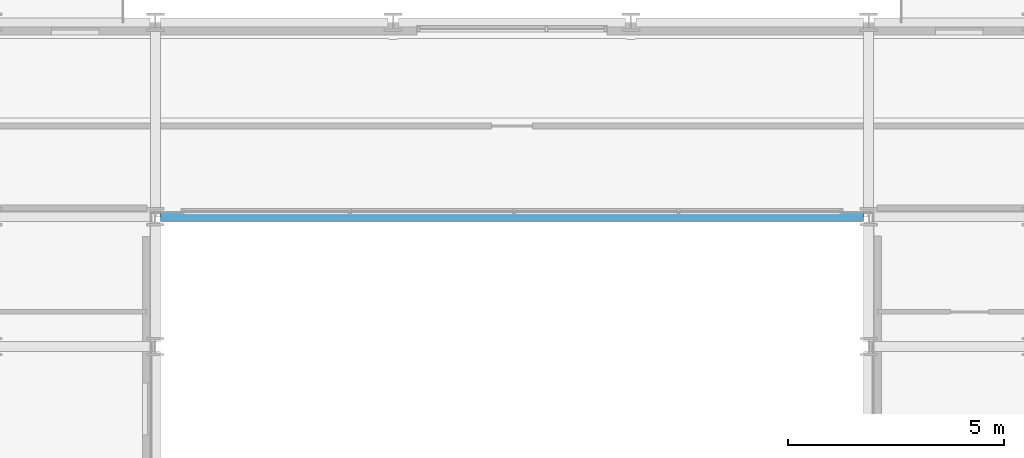
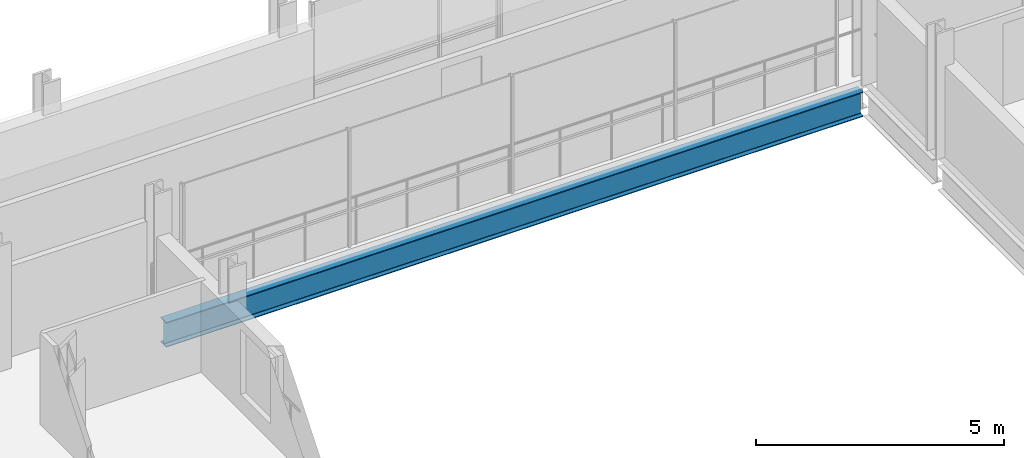
# One storey, part 10 of 41: 1 beam.
"""IFC4 building model written with IfcOpenShell, lengths in metres."""

from ifc_helpers import new_model, si_unit, direction, frame, origin, origin_2d, place, context, subcontext, project, spatial, i_section, extrude, material, material_profile, profile_set, type_object, element, save


model = new_model("IFC4")

# Units and contexts
model_context = context("Model", 3, precision=1e-05, world=origin(), true_north=direction((0.0, 1.0)))
body_context = subcontext(model_context, "Body", "Model", "MODEL_VIEW")
ifc_project = project(units=[si_unit("LENGTHUNIT", "METRE"), si_unit("AREAUNIT", "SQUARE_METRE"), si_unit("VOLUMEUNIT", "CUBIC_METRE"), si_unit("PLANEANGLEUNIT", "RADIAN"), si_unit("MASSUNIT", "GRAM", prefix="KILO")], contexts=[model_context])

# Site, building, storey
site_placement = place(None, origin())
site = spatial("IfcSite", under=ifc_project, at=site_placement, CompositionType="ELEMENT")
building_placement = place(site_placement, origin())
building = spatial("IfcBuilding", under=site, at=building_placement, Name="Brevholm Reach", CompositionType="ELEMENT")
storey_placement = place(building_placement, frame((0.0, 0.0, 112.800048828125)))
storey = spatial("IfcBuildingStorey", under=building, at=storey_placement, Name="L33", CompositionType="ELEMENT", Elevation=112.800048828125)

# Beam
ifc_material = material(Name="Structural Steel S355J2", Category="steel")
ifc_material_profile = material_profile(ifc_material, i_section(OverallWidth=0.22900390625, OverallDepth=0.6123046875, WebThickness=0.011962890625, FlangeThickness=0.01953125, FilletRadius=0.0126953125, at=origin_2d()), Name="UKB 610x229x125")
ifc_profile_set = profile_set([ifc_material_profile], Name="Structural Steel S355J2")
beam_type = type_object("IfcBeamType", Name="BM-SP610", PredefinedType="SPANDREL", material=ifc_profile_set)
beam_placement = place(storey_placement, frame((21.8701171875, 26.5, -0.526123046875), z_axis=(1.0, 0.0, 0.0), x_axis=(0.0, 1.0, 0.0)))
element("IfcBeam", 1, at=beam_placement, inside=storey, type_object=beam_type, Name="L33 SP-01 Framing Beam", PredefinedType="SPANDREL", context=body_context, shape_type="SweptSolid", body=[
    extrude(i_section(OverallWidth=0.22900390625, OverallDepth=0.6123046875, WebThickness=0.011962890625, FlangeThickness=0.01953125, FilletRadius=0.0126953125, at=origin_2d()), origin(), (0.0, 0.0, 1.0), 16.259765625),
])

save(model, "model.ifc")
